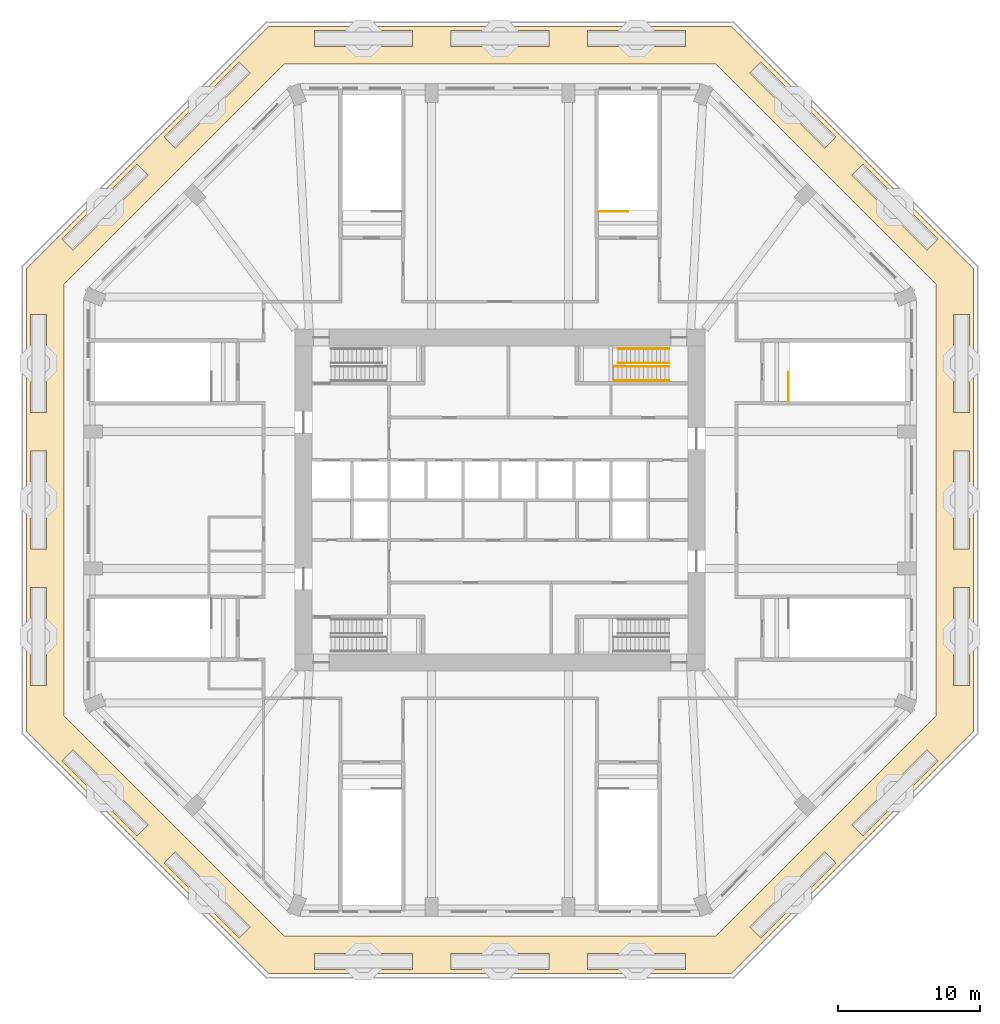
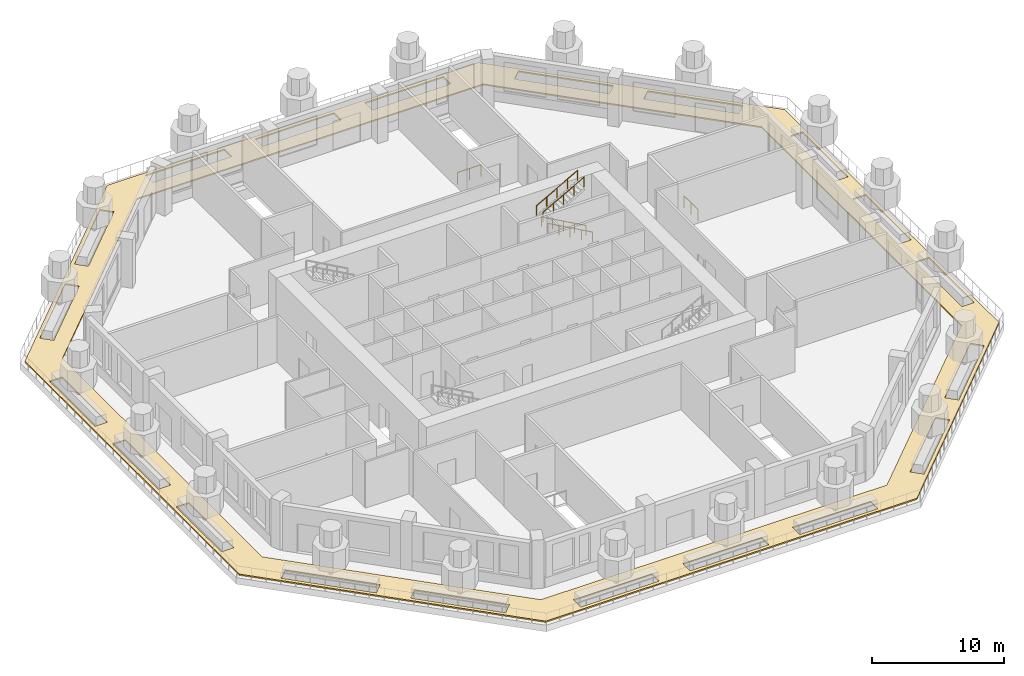
# One storey, part 12 of 13: 6 railings, 1 covering.
"""IFC4 building model written with IfcOpenShell, lengths in metres."""

from ifc_helpers import new_model, si_unit, direction, frame, origin, origin_2d, place, context, subcontext, project, spatial, polyline, circle, outline, extrude, material, layer, layer_set, constituent, constituent_set, type_object, element, save


model = new_model("IFC4")

# Units and contexts
model_context = context("Model", 3, precision=1e-05, world=origin(), true_north=direction((0.0, 1.0)))
body_context = subcontext(model_context, "Body", "Model", "MODEL_VIEW")
ifc_project = project(units=[si_unit("LENGTHUNIT", "METRE"), si_unit("AREAUNIT", "SQUARE_METRE"), si_unit("VOLUMEUNIT", "CUBIC_METRE"), si_unit("PLANEANGLEUNIT", "RADIAN"), si_unit("MASSUNIT", "GRAM", prefix="KILO")], contexts=[model_context])

# Site, building, storey
site_placement = place(None, origin())
site = spatial("IfcSite", under=ifc_project, at=site_placement, CompositionType="ELEMENT")
building_placement = place(site_placement, origin())
building = spatial("IfcBuilding", under=site, at=building_placement, Name="Msitu Wima Residences", CompositionType="ELEMENT")
storey_placement = place(building_placement, frame((0.0, 0.0, 21.0)))
storey = spatial("IfcBuildingStorey", under=building, at=storey_placement, Name="L04", CompositionType="ELEMENT", Elevation=21.0)

# Railings
ifc_material_1 = material(Name="Steel S355", Category="steel")
ifc_constituent_1 = constituent(ifc_material_1, Name="Steel S355")
ifc_material_2 = material(Name="Black powder coating")
ifc_constituent_2 = constituent(ifc_material_2, Name="Black powder coating")
ifc_constituent_set_1 = constituent_set(constituents=[ifc_constituent_1, ifc_constituent_2], Name="Steel S355")
railing_type_1 = type_object("IfcRailingType", Name="Stair handrail HR1", PredefinedType="HANDRAIL", material=ifc_constituent_set_1)
for number, where, name in (
    (1, (11.875, 8.375, 0.166748046875), "Stair 3 handrail"),
    (2, (11.875, 9.375, 0.166748046875), "Stair 3 handrail"),
):
    element("IfcRailing", number, at=place(storey_placement, frame(where)), inside=storey, type_object=railing_type_1, Name=name, PredefinedType="HANDRAIL", context=body_context, shape_type="SweptSolid", body=[
        extrude(circle(Radius=0.02392578125, at=origin_2d()), frame((0.0, 0.0, 0.8759765625), z_axis=(-0.874167601283, 0.0, 0.485624345423), x_axis=(0.0, -1.0, 0.0)), (0.0, 0.0, 1.0), 4.461181640625),
        extrude(circle(Radius=0.02099609375, at=origin_2d()), origin(), (0.0, 0.0, 1.0), 0.851806640625),
        extrude(circle(Radius=0.02099609375, at=origin_2d()), frame((-0.97509765625, 0.0, 0.54150390625)), (0.0, 0.0, 1.0), 0.851806640625),
        extrude(circle(Radius=0.02099609375, at=origin_2d()), frame((-1.949951171875, 0.0, 1.083251953125)), (0.0, 0.0, 1.0), 0.851806640625),
        extrude(circle(Radius=0.02099609375, at=origin_2d()), frame((-2.9248046875, 0.0, 1.625)), (0.0, 0.0, 1.0), 0.851806640625),
        extrude(circle(Radius=0.02099609375, at=origin_2d()), frame((-3.89990234375, 0.0, 2.16650390625)), (0.0, 0.0, 1.0), 0.851806640625),
    ])
for number, where, name in (
    (3, (8.27490234375, 9.625, 2.5), "Stair 3 handrail"),
    (4, (8.27490234375, 10.625, 2.5), "Stair 3 handrail"),
):
    element("IfcRailing", number, at=place(storey_placement, frame(where)), inside=storey, type_object=railing_type_1, Name=name, PredefinedType="HANDRAIL", context=body_context, shape_type="SweptSolid", body=[
        extrude(circle(Radius=0.02392578125, at=origin_2d()), frame((0.0, 0.0, 0.8759765625), z_axis=(0.874162868644, 0.0, 0.485632864501), x_axis=(0.0, 1.0, 0.0)), (0.0, 0.0, 1.0), 4.118408203125),
        extrude(circle(Radius=0.02099609375, at=origin_2d()), origin(), (0.0, 0.0, 1.0), 0.851806640625),
        extrude(circle(Radius=0.02099609375, at=origin_2d()), frame((0.89990234375, 0.0, 0.5)), (0.0, 0.0, 1.0), 0.851806640625),
        extrude(circle(Radius=0.02099609375, at=origin_2d()), frame((1.800048828125, 0.0, 1.0)), (0.0, 0.0, 1.0), 0.851806640625),
        extrude(circle(Radius=0.02099609375, at=origin_2d()), frame((2.7001953125, 0.0, 1.5)), (0.0, 0.0, 1.0), 0.851806640625),
        extrude(circle(Radius=0.02099609375, at=origin_2d()), frame((3.60009765625, 0.0, 2.0)), (0.0, 0.0, 1.0), 0.851806640625),
    ])
ifc_constituent_3 = constituent(ifc_material_1, Name="Steel S355")
ifc_constituent_4 = constituent(ifc_material_2, Name="Black powder coating")
ifc_constituent_set_2 = constituent_set(constituents=[ifc_constituent_3, ifc_constituent_4], Name="Steel S355")
railing_type_2 = type_object("IfcRailingType", Name="Stair landing guard GR1100", PredefinedType="GUARDRAIL", material=ifc_constituent_set_2)
railing_1_placement = place(storey_placement, frame((20.264892578125, 6.925048828125, 0.0)))
element("IfcRailing", 5, at=railing_1_placement, inside=storey, type_object=railing_type_2, Name="Podium exit stair 1 landing guard", PredefinedType="GUARDRAIL", context=body_context, shape_type="SweptSolid", body=[
    extrude(circle(Radius=0.02392578125, at=origin_2d()), frame((0.0, 0.0, 1.076171875), z_axis=(0.0, 1.0, 0.0), x_axis=(-1.0, 0.0, 0.0)), (0.0, 0.0, 1.0), 2.074951171875),
    extrude(circle(Radius=0.02099609375, at=origin_2d()), origin(), (0.0, 0.0, 1.0), 1.052001953125),
    extrude(circle(Radius=0.02099609375, at=origin_2d()), frame((0.0, 1.03759765625, 0.0)), (0.0, 0.0, 1.0), 1.052001953125),
    extrude(circle(Radius=0.02099609375, at=origin_2d()), frame((0.0, 2.074951171875, 0.0)), (0.0, 0.0, 1.0), 1.052001953125),
])
railing_2_placement = place(storey_placement, frame((6.925048828125, 20.264892578125, 0.0)))
element("IfcRailing", 6, at=railing_2_placement, inside=storey, type_object=railing_type_2, Name="Podium exit stair 4 landing guard", PredefinedType="GUARDRAIL", context=body_context, shape_type="SweptSolid", body=[
    extrude(circle(Radius=0.02392578125, at=origin_2d()), frame((0.0, 0.0, 1.076171875), z_axis=(1.0, 0.0, 0.0), x_axis=(0.0, 1.0, 0.0)), (0.0, 0.0, 1.0), 2.074951171875),
    extrude(circle(Radius=0.02099609375, at=origin_2d()), origin(), (0.0, 0.0, 1.0), 1.052001953125),
    extrude(circle(Radius=0.02099609375, at=origin_2d()), frame((1.03759765625, 0.0, 0.0)), (0.0, 0.0, 1.0), 1.052001953125),
    extrude(circle(Radius=0.02099609375, at=origin_2d()), frame((2.074951171875, 0.0, 0.0)), (0.0, 0.0, 1.0), 1.052001953125),
])

# Covering
ifc_material_3 = material(Name="Lawn and planting")
ifc_layer = layer(ifc_material_3, 0.1201171875)
ifc_layer_set = layer_set([ifc_layer], Name="Lawn and planting")
covering_type = type_object("IfcCoveringType", Name="Terrace planting PL120", PredefinedType="USERDEFINED", material=ifc_layer_set)
covering_placement = place(storey_placement, origin())
element("IfcCovering", 7, at=covering_placement, inside=storey, type_object=covering_type, Name="Terrace planting L04 1", ObjectType="PLANTING", PredefinedType="USERDEFINED", context=body_context, shape_type="SweptSolid", body=[
    extrude(outline(polyline([(-16.2431640625, -33.25), (-33.25, -16.2431640625), (-33.25, 16.2431640625), (-16.2431640625, 33.25), (16.2431640625, 33.25), (33.25, 16.2431640625), (33.25, -16.2431640625), (16.2431640625, -33.25), (-16.2431640625, -33.25)]), holes=[polyline([(-13.012939453125, -31.85009765625), (-13.012939453125, -32.949951171875), (-6.14990234375, -32.949951171875), (-6.14990234375, -31.85009765625), (-13.012939453125, -31.85009765625)]), polyline([(-3.449951171875, -31.85009765625), (-3.449951171875, -32.949951171875), (3.449951171875, -32.949951171875), (3.449951171875, -31.85009765625), (-3.449951171875, -31.85009765625)]), polyline([(-22.802001953125, -24.711181640625), (-23.579833984375, -25.489013671875), (-18.315185546875, -30.753662109375), (-17.53759765625, -29.975830078125), (-22.802001953125, -24.711181640625)]), polyline([(-24.711181640625, -22.802001953125), (-29.975830078125, -17.53759765625), (-30.753662109375, -18.315185546875), (-25.489013671875, -23.579833984375), (-24.711181640625, -22.802001953125)]), polyline([(-31.85009765625, -13.012939453125), (-31.85009765625, -6.14990234375), (-32.949951171875, -6.14990234375), (-32.949951171875, -13.012939453125), (-31.85009765625, -13.012939453125)]), polyline([(-31.85009765625, 3.449951171875), (-32.949951171875, 3.449951171875), (-32.949951171875, -3.449951171875), (-31.85009765625, -3.449951171875), (-31.85009765625, 3.449951171875)]), polyline([(-31.85009765625, 13.012939453125), (-32.949951171875, 13.012939453125), (-32.949951171875, 6.14990234375), (-31.85009765625, 6.14990234375), (-31.85009765625, 13.012939453125)]), polyline([(-24.711181640625, 22.802001953125), (-25.489013671875, 23.579833984375), (-30.753662109375, 18.315185546875), (-29.975830078125, 17.53759765625), (-24.711181640625, 22.802001953125)]), polyline([(-22.802001953125, 24.711181640625), (-17.53759765625, 29.975830078125), (-18.315185546875, 30.753662109375), (-23.579833984375, 25.489013671875), (-22.802001953125, 24.711181640625)]), polyline([(-13.012939453125, 31.85009765625), (-6.14990234375, 31.85009765625), (-6.14990234375, 32.949951171875), (-13.012939453125, 32.949951171875), (-13.012939453125, 31.85009765625)]), polyline([(3.449951171875, 31.85009765625), (3.449951171875, 32.949951171875), (-3.449951171875, 32.949951171875), (-3.449951171875, 31.85009765625), (3.449951171875, 31.85009765625)]), polyline([(6.14990234375, -31.85009765625), (6.14990234375, -32.949951171875), (13.012939453125, -32.949951171875), (13.012939453125, -31.85009765625), (6.14990234375, -31.85009765625)]), polyline([(17.53759765625, -29.975830078125), (18.315185546875, -30.753662109375), (23.579833984375, -25.489013671875), (22.802001953125, -24.711181640625), (17.53759765625, -29.975830078125)]), polyline([(29.975830078125, -17.53759765625), (24.711181640625, -22.802001953125), (25.489013671875, -23.579833984375), (30.753662109375, -18.315185546875), (29.975830078125, -17.53759765625)]), polyline([(31.85009765625, -6.14990234375), (31.85009765625, -13.012939453125), (32.949951171875, -13.012939453125), (32.949951171875, -6.14990234375), (31.85009765625, -6.14990234375)]), polyline([(-15.1455078125, -30.60009765625), (15.1455078125, -30.60009765625), (30.60009765625, -15.1455078125), (30.60009765625, 15.1455078125), (15.1455078125, 30.60009765625), (-15.1455078125, 30.60009765625), (-30.60009765625, 15.1455078125), (-30.60009765625, -15.1455078125), (-15.1455078125, -30.60009765625)]), polyline([(31.85009765625, 3.449951171875), (31.85009765625, -3.449951171875), (32.949951171875, -3.449951171875), (32.949951171875, 3.449951171875), (31.85009765625, 3.449951171875)]), polyline([(31.85009765625, 13.012939453125), (31.85009765625, 6.14990234375), (32.949951171875, 6.14990234375), (32.949951171875, 13.012939453125), (31.85009765625, 13.012939453125)]), polyline([(29.975830078125, 17.53759765625), (30.753662109375, 18.315185546875), (25.489013671875, 23.579833984375), (24.711181640625, 22.802001953125), (29.975830078125, 17.53759765625)]), polyline([(17.53759765625, 29.975830078125), (22.802001953125, 24.711181640625), (23.579833984375, 25.489013671875), (18.315185546875, 30.753662109375), (17.53759765625, 29.975830078125)]), polyline([(6.14990234375, 31.85009765625), (13.012939453125, 31.85009765625), (13.012939453125, 32.949951171875), (6.14990234375, 32.949951171875), (6.14990234375, 31.85009765625)])]), origin(), (0.0, 0.0, 1.0), 0.1201171875),
])

save(model, "model.ifc")
